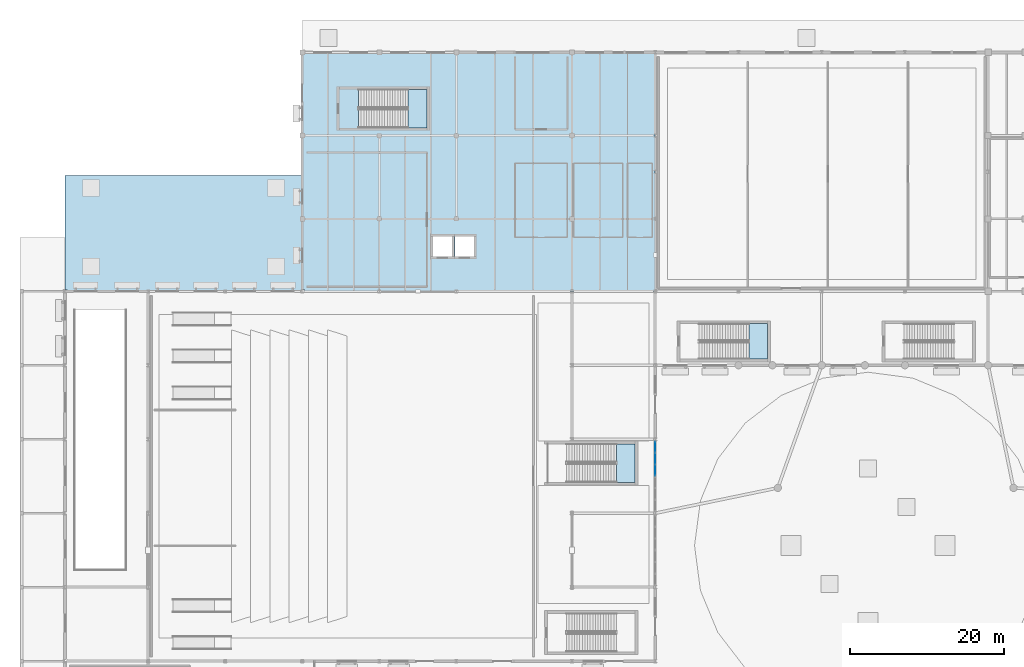
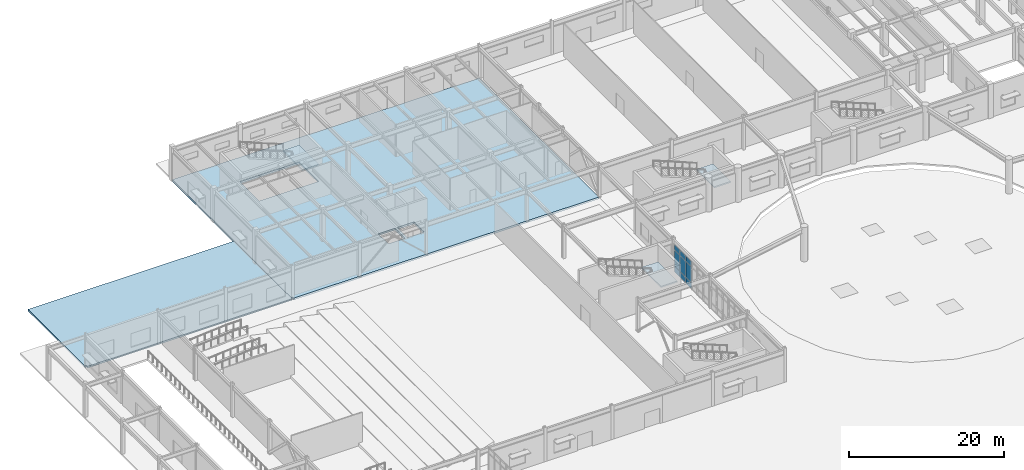
# One storey, part 25 of 54: 9 plates, 5 slabs, 4 elements without a shape of their own.
"""IFC4 building model written with IfcOpenShell, lengths in metres."""

from ifc_helpers import new_model, si_unit, direction, frame, origin, origin_2d, place, context, subcontext, project, spatial, polyline, rectangle, outline, extrude, material, layer, layer_set, type_object, element, aggregate, save


model = new_model("IFC4")

# Units and contexts
model_context = context("Model", 3, precision=1e-05, world=origin(), true_north=direction((0.0, 1.0)))
body_context = subcontext(model_context, "Body", "Model", "MODEL_VIEW")
ifc_project = project(units=[si_unit("LENGTHUNIT", "METRE"), si_unit("AREAUNIT", "SQUARE_METRE"), si_unit("VOLUMEUNIT", "CUBIC_METRE"), si_unit("PLANEANGLEUNIT", "RADIAN"), si_unit("MASSUNIT", "GRAM", prefix="KILO")], contexts=[model_context])

# Site, building, storey
site_placement = place(None, origin())
site = spatial("IfcSite", under=ifc_project, at=site_placement, CompositionType="ELEMENT")
building_placement = place(site_placement, origin())
building = spatial("IfcBuilding", under=site, at=building_placement, Name="Veldera Park Congress Hotel", CompositionType="ELEMENT")
storey_placement = place(building_placement, origin())
storey = spatial("IfcBuildingStorey", under=building, at=storey_placement, Name="L00", CompositionType="ELEMENT", Elevation=0.0)

# Curtain wall, plates
ifc_material_1 = material(Name="Low-E Triple Insulating Glass Unit (SHGC 0.22)", Category="glass")
curtain_wall_type = type_object("IfcCurtainWallType", Name="CW-POD", PredefinedType="NOTDEFINED", material=ifc_material_1)
curtain_wall_placement = place(storey_placement, origin())
curtain_wall = element("IfcCurtainWall", 1, at=curtain_wall_placement, inside=storey, type_object=curtain_wall_type, Name="L00 Curtain Wall CW3-V1E-L00-004", PredefinedType="NOTDEFINED")
ifc_layer_1 = layer(ifc_material_1, 0.035888671875)
ifc_layer_set_1 = layer_set([ifc_layer_1], Name="Low-E Triple Insulating Glass Unit (SHGC 0.22)")
plate_type = type_object("IfcPlateType", Name="CWP-IGU36", PredefinedType="CURTAIN_PANEL", material=ifc_layer_set_1)
plate_1_placement = place(storey_placement, frame((-1.60009765625, 3.794189453125, 0.080078125), z_axis=(0.0, 0.0, 1.0), x_axis=(0.0, 1.0, 0.0)))
plate_1 = element("IfcPlate", 2, at=plate_1_placement, type_object=plate_type, Name="CW-POD panel 1.1", PredefinedType="CURTAIN_PANEL", context=body_context, shape_type="SweptSolid", body=[
    extrude(rectangle(XDim=1.398193359375, YDim=0.035888671875, at=origin_2d()), origin(), (0.0, 0.0, 1.0), 0.8798828125),
])
plate_2_placement = place(storey_placement, frame((-1.60009765625, 3.794189453125, 1.0400390625), z_axis=(0.0, 0.0, 1.0), x_axis=(0.0, 1.0, 0.0)))
plate_2 = element("IfcPlate", 3, at=plate_2_placement, type_object=plate_type, Name="CW-POD panel 1.2", PredefinedType="CURTAIN_PANEL", context=body_context, shape_type="SweptSolid", body=[
    extrude(rectangle(XDim=1.398193359375, YDim=0.035888671875, at=origin_2d()), origin(), (0.0, 0.0, 1.0), 2.44189453125),
])
plate_3_placement = place(storey_placement, frame((-1.60009765625, 3.794189453125, 3.56201171875), z_axis=(0.0, 0.0, 1.0), x_axis=(0.0, 1.0, 0.0)))
plate_3 = element("IfcPlate", 4, at=plate_3_placement, type_object=plate_type, Name="CW-POD panel 1.3", PredefinedType="CURTAIN_PANEL", context=body_context, shape_type="SweptSolid", body=[
    extrude(rectangle(XDim=1.398193359375, YDim=0.035888671875, at=origin_2d()), origin(), (0.0, 0.0, 1.0), 0.780029296875),
])
plate_4_placement = place(storey_placement, frame((-1.60009765625, 5.292236328125, 0.080078125), z_axis=(0.0, 0.0, 1.0), x_axis=(0.0, 1.0, 0.0)))
plate_4 = element("IfcPlate", 5, at=plate_4_placement, type_object=plate_type, Name="CW-POD panel 2.1", PredefinedType="CURTAIN_PANEL", context=body_context, shape_type="SweptSolid", body=[
    extrude(rectangle(XDim=1.438232421875, YDim=0.035888671875, at=origin_2d()), origin(), (0.0, 0.0, 1.0), 0.8798828125),
])
plate_5_placement = place(storey_placement, frame((-1.60009765625, 5.292236328125, 1.0400390625), z_axis=(0.0, 0.0, 1.0), x_axis=(0.0, 1.0, 0.0)))
plate_5 = element("IfcPlate", 6, at=plate_5_placement, type_object=plate_type, Name="CW-POD panel 2.2", PredefinedType="CURTAIN_PANEL", context=body_context, shape_type="SweptSolid", body=[
    extrude(rectangle(XDim=1.438232421875, YDim=0.035888671875, at=origin_2d()), origin(), (0.0, 0.0, 1.0), 2.44189453125),
])
plate_6_placement = place(storey_placement, frame((-1.60009765625, 5.292236328125, 3.56201171875), z_axis=(0.0, 0.0, 1.0), x_axis=(0.0, 1.0, 0.0)))
plate_6 = element("IfcPlate", 7, at=plate_6_placement, type_object=plate_type, Name="CW-POD panel 2.3", PredefinedType="CURTAIN_PANEL", context=body_context, shape_type="SweptSolid", body=[
    extrude(rectangle(XDim=1.438232421875, YDim=0.035888671875, at=origin_2d()), origin(), (0.0, 0.0, 1.0), 0.780029296875),
])
plate_7_placement = place(storey_placement, frame((-1.60009765625, 6.79052734375, 0.080078125), z_axis=(0.0, 0.0, 1.0), x_axis=(0.0, 1.0, 0.0)))
plate_7 = element("IfcPlate", 8, at=plate_7_placement, type_object=plate_type, Name="CW-POD panel 3.1", PredefinedType="CURTAIN_PANEL", context=body_context, shape_type="SweptSolid", body=[
    extrude(rectangle(XDim=1.398193359375, YDim=0.035888671875, at=origin_2d()), origin(), (0.0, 0.0, 1.0), 0.8798828125),
])
plate_8_placement = place(storey_placement, frame((-1.60009765625, 6.79052734375, 1.0400390625), z_axis=(0.0, 0.0, 1.0), x_axis=(0.0, 1.0, 0.0)))
plate_8 = element("IfcPlate", 9, at=plate_8_placement, type_object=plate_type, Name="CW-POD panel 3.2", PredefinedType="CURTAIN_PANEL", context=body_context, shape_type="SweptSolid", body=[
    extrude(rectangle(XDim=1.398193359375, YDim=0.035888671875, at=origin_2d()), origin(), (0.0, 0.0, 1.0), 2.44189453125),
])
plate_9_placement = place(storey_placement, frame((-1.60009765625, 6.79052734375, 3.56201171875), z_axis=(0.0, 0.0, 1.0), x_axis=(0.0, 1.0, 0.0)))
plate_9 = element("IfcPlate", 10, at=plate_9_placement, type_object=plate_type, Name="CW-POD panel 3.3", PredefinedType="CURTAIN_PANEL", context=body_context, shape_type="SweptSolid", body=[
    extrude(rectangle(XDim=1.398193359375, YDim=0.035888671875, at=origin_2d()), origin(), (0.0, 0.0, 1.0), 0.780029296875),
])
aggregate(curtain_wall, [plate_1, plate_2, plate_3, plate_4, plate_5, plate_6, plate_7, plate_8, plate_9])

# Slabs
ifc_material_2 = material(Name="Concrete f'c 35 MPa (5,000 psi)", Category="concrete")
ifc_layer_2 = layer(ifc_material_2, 0.25)
ifc_layer_set_2 = layer_set([ifc_layer_2], Name="Concrete f'c 35 MPa (5,000 psi)")
slab_type_1 = type_object("IfcSlabType", Name="SLB-APR250", PredefinedType="BASESLAB", material=ifc_layer_set_2)
slab_1_placement = place(storey_placement, frame((0.0, 0.0, -0.25)))
element("IfcSlab", 11, at=slab_1_placement, inside=storey, type_object=slab_type_1, Name="L00 Exterior Arrival Terrace Apron SLB-APR-NORTH-W", PredefinedType="BASESLAB", context=body_context, shape_type="SweptSolid", body=[
    extrude(outline(polyline([(-78.199951171875, 27.260009765625), (-77.93994140625, 27.260009765625), (-77.93994140625, 27.0), (-47.39990234375, 27.0), (-47.39990234375, 42.0), (-78.199951171875, 42.0), (-78.199951171875, 27.260009765625)])), origin(), (0.0, 0.0, 1.0), 0.25),
])
ifc_material_3 = material(Name="Concrete f'c 40 MPa (5,800 psi)", Category="concrete")
ifc_layer_3 = layer(ifc_material_3, 0.300048828125)
ifc_layer_set_3 = layer_set([ifc_layer_3], Name="Concrete f'c 40 MPa (5,800 psi)")
slab_type_2 = type_object("IfcSlabType", Name="SLB-RC300", PredefinedType="FLOOR", material=ifc_layer_set_3)
slab_2_placement = place(storey_placement, frame((0.0, 0.0, -0.300048828125)))
element("IfcSlab", 12, at=slab_2_placement, inside=storey, type_object=slab_type_2, Name="L00 Ground Floor Slab SLB-L00-NW", PredefinedType="FLOOR", context=body_context, shape_type="SweptSolid", body=[
    extrude(outline(polyline([(-47.39990234375, 27.260009765625), (-47.139892578125, 27.260009765625), (-47.139892578125, 27.0), (-1.60009765625, 27.0), (-1.60009765625, 58.0), (-47.39990234375, 58.0), (-47.39990234375, 27.260009765625)]), holes=[polyline([(-40.0849609375, 48.199951171875), (-31.199951171875, 48.199951171875), (-31.199951171875, 53.199951171875), (-40.0849609375, 53.199951171875), (-40.0849609375, 48.199951171875)]), polyline([(-30.449951171875, 31.5), (-27.949951171875, 31.5), (-27.949951171875, 34.10009765625), (-30.449951171875, 34.10009765625), (-30.449951171875, 31.5)]), polyline([(-27.60009765625, 31.5), (-25.10009765625, 31.5), (-25.10009765625, 34.10009765625), (-27.60009765625, 34.10009765625), (-27.60009765625, 31.5)])]), origin(), (0.0, 0.0, 1.0), 0.300048828125),
])

# Stair, slab
stair_type_1 = type_object("IfcStairType", Name="ST4", PredefinedType="HALF_TURN_STAIR", material=ifc_material_3)
stair_1_placement = place(storey_placement, origin())
stair_1 = element("IfcStair", 13, at=stair_1_placement, inside=storey, type_object=stair_type_1, Name="L00 Protected Exit Stair ST4", PredefinedType="HALF_TURN_STAIR")
ifc_layer_4 = layer(ifc_material_3, 0.199951171875)
ifc_layer_set_4 = layer_set([ifc_layer_4], Name="Concrete f'c 40 MPa (5,800 psi)")
slab_type_3 = type_object("IfcSlabType", Name="SLD-ST4", PredefinedType="LANDING", material=ifc_layer_set_4)
slab_3_placement = place(storey_placement, frame((0.0, 0.0, 2.5)))
slab_3 = element("IfcSlab", 14, at=slab_3_placement, type_object=slab_type_3, Name="ST4 landing 1", PredefinedType="LANDING", context=body_context, shape_type="SweptSolid", body=[
    extrude(outline(polyline([(-33.655029296875, 48.199951171875), (-31.199951171875, 48.199951171875), (-31.199951171875, 53.199951171875), (-33.655029296875, 53.199951171875), (-33.655029296875, 48.199951171875)])), origin(), (0.0, 0.0, 1.0), 0.199951171875),
])
aggregate(stair_1, [slab_3])

stair_type_2 = type_object("IfcStairType", Name="ST6", PredefinedType="HALF_TURN_STAIR", material=ifc_material_3)
stair_2_placement = place(storey_placement, origin())
stair_2 = element("IfcStair", 15, at=stair_2_placement, inside=storey, type_object=stair_type_2, Name="L00 Protected Exit Stair ST6", PredefinedType="HALF_TURN_STAIR")
ifc_layer_5 = layer(ifc_material_3, 0.199951171875)
ifc_layer_set_5 = layer_set([ifc_layer_5], Name="Concrete f'c 40 MPa (5,800 psi)")
slab_type_4 = type_object("IfcSlabType", Name="SLD-ST6", PredefinedType="LANDING", material=ifc_layer_set_5)
slab_4_placement = place(storey_placement, frame((0.0, 0.0, 2.5)))
slab_4 = element("IfcSlab", 16, at=slab_4_placement, type_object=slab_type_4, Name="ST6 landing 1", PredefinedType="LANDING", context=body_context, shape_type="SweptSolid", body=[
    extrude(outline(polyline([(10.544921875, 18.199951171875), (13.0, 18.199951171875), (13.0, 22.800048828125), (10.544921875, 22.800048828125), (10.544921875, 18.199951171875)])), origin(), (0.0, 0.0, 1.0), 0.199951171875),
])
aggregate(stair_2, [slab_4])

stair_type_3 = type_object("IfcStairType", Name="ST9", PredefinedType="HALF_TURN_STAIR", material=ifc_material_3)
stair_3_placement = place(storey_placement, origin())
stair_3 = element("IfcStair", 17, at=stair_3_placement, inside=storey, type_object=stair_type_3, Name="L00 Monumental Foyer Stair ST9", PredefinedType="HALF_TURN_STAIR")
ifc_layer_6 = layer(ifc_material_3, 0.199951171875)
ifc_layer_set_6 = layer_set([ifc_layer_6], Name="Concrete f'c 40 MPa (5,800 psi)")
slab_type_5 = type_object("IfcSlabType", Name="SLD-ST9", PredefinedType="LANDING", material=ifc_layer_set_6)
slab_5_placement = place(storey_placement, frame((0.0, 0.0, 2.5)))
slab_5 = element("IfcSlab", 18, at=slab_5_placement, type_object=slab_type_5, Name="ST9 landing 1", PredefinedType="LANDING", context=body_context, shape_type="SweptSolid", body=[
    extrude(outline(polyline([(-6.655029296875, 2.199951171875), (-4.199951171875, 2.199951171875), (-4.199951171875, 7.199951171875), (-6.655029296875, 7.199951171875), (-6.655029296875, 2.199951171875)])), origin(), (0.0, 0.0, 1.0), 0.199951171875),
])
aggregate(stair_3, [slab_5])

save(model, "model.ifc")
